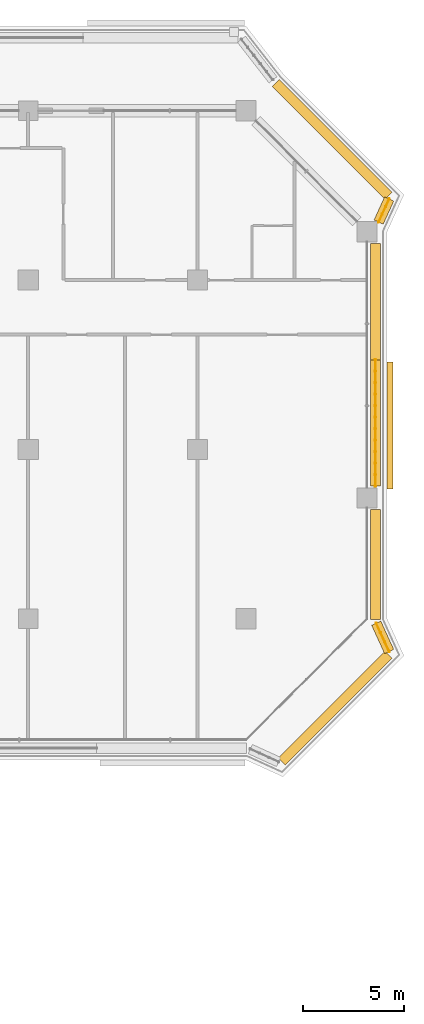
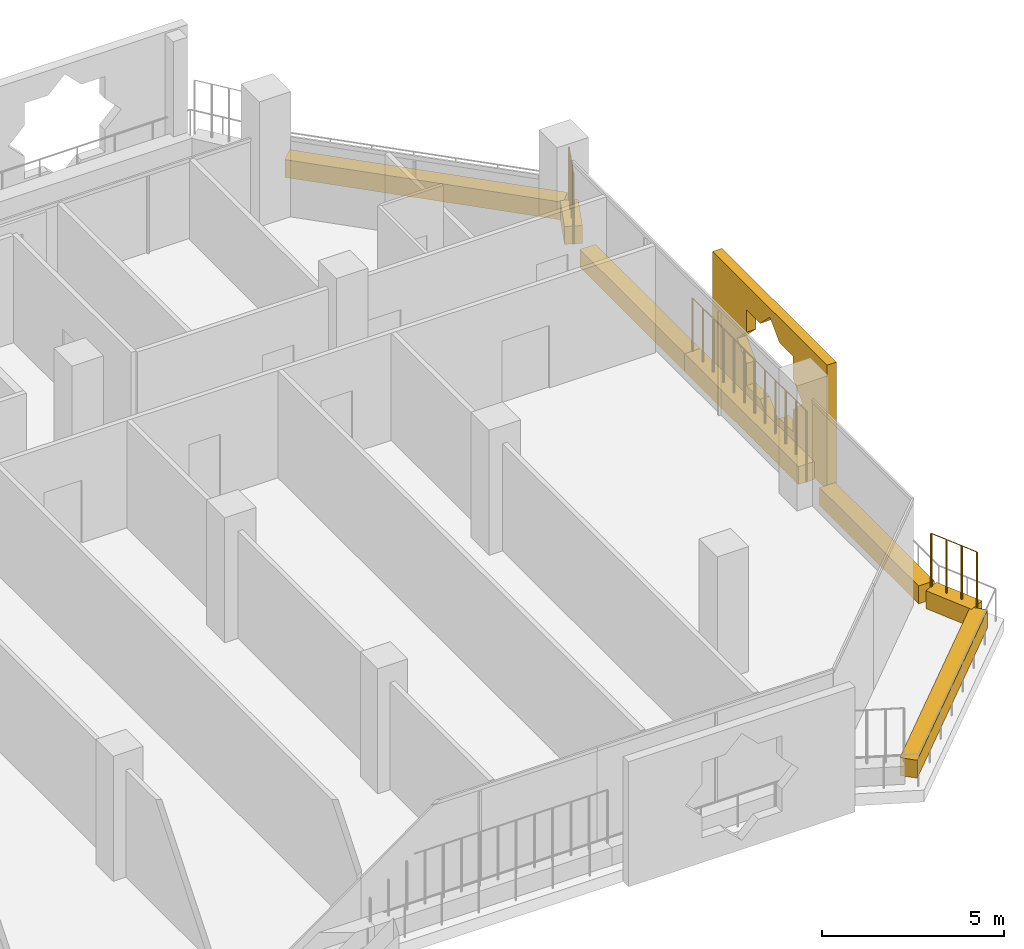
# One storey, part 22 of 22: 8 coverings, 3 railings.
"""IFC4 building model written with IfcOpenShell, lengths in metres."""

from ifc_helpers import new_model, si_unit, direction, frame, origin, origin_2d, place, context, subcontext, project, spatial, polyline, rectangle, circle, outline, extrude, material, material_profile, profile_set, type_object, element, save


model = new_model("IFC4")

# Units and contexts
model_context = context("Model", 3, precision=1e-05, world=origin(), true_north=direction((0.0, 1.0)))
body_context = subcontext(model_context, "Body", "Model", "MODEL_VIEW")
ifc_project = project(units=[si_unit("LENGTHUNIT", "METRE"), si_unit("AREAUNIT", "SQUARE_METRE"), si_unit("VOLUMEUNIT", "CUBIC_METRE"), si_unit("PLANEANGLEUNIT", "RADIAN"), si_unit("MASSUNIT", "GRAM", prefix="KILO")], contexts=[model_context])

# Site, building, storey
site_placement = place(None, origin())
site = spatial("IfcSite", under=ifc_project, at=site_placement, CompositionType="ELEMENT")
building_placement = place(site_placement, origin())
building = spatial("IfcBuilding", under=site, at=building_placement, Name="Kawkab Arch Medical Tower", CompositionType="ELEMENT")
storey_placement = place(building_placement, frame((0.0, 0.0, 179.39990234375)))
storey = spatial("IfcBuildingStorey", under=building, at=storey_placement, Name="L41", CompositionType="ELEMENT", Elevation=179.39990234375)

# Coverings
ifc_material_1 = material(Name="Bronze anodised aluminium mashrabiya panel, eight-point star pattern", Category="aluminium")
ifc_material_profile_1 = material_profile(ifc_material_1, outline(polyline([(-3.14990234375, -2.10009765625), (3.14990234375, -2.10009765625), (3.14990234375, 2.10009765625), (-3.14990234375, 2.10009765625), (-3.14990234375, -2.10009765625)]), holes=[polyline([(1.800048828125, 0.0), (1.272705078125, 0.527099609375), (1.272705078125, 1.272705078125), (0.527099609375, 1.272705078125), (0.0, 1.800048828125), (-0.527099609375, 1.272705078125), (-1.272705078125, 1.272705078125), (-1.272705078125, 0.527099609375), (-1.800048828125, 0.0), (-1.272705078125, -0.527099609375), (-1.272705078125, -1.272705078125), (-0.527099609375, -1.272705078125), (0.0, -1.800048828125), (0.527099609375, -1.272705078125), (1.272705078125, -1.272705078125), (1.272705078125, -0.527099609375), (1.800048828125, 0.0)])]), Name="Mashrabiya panel 6300x4200")
ifc_profile_set_1 = profile_set([ifc_material_profile_1], Name="Bronze anodised aluminium mashrabiya panel, eight-point star pattern")
covering_type_1 = type_object("IfcCoveringType", Name="Mashrabiya panel 6300 x 4200", PredefinedType="USERDEFINED", material=ifc_profile_set_1)
covering_1_placement = place(storey_placement, frame((68.199951171875, -15.60009765625, 1.7001953125), z_axis=(1.0, 0.0, 0.0), x_axis=(0.0, 1.0, 0.0)))
element("IfcCovering", 1, at=covering_1_placement, inside=storey, type_object=covering_type_1, Name="Mashrabiya panel L41.LOG-01-01.9", ObjectType="SCREEN", PredefinedType="USERDEFINED", context=body_context, shape_type="SweptSolid", body=[
    extrude(outline(polyline([(-3.14990234375, -2.10009765625), (3.14990234375, -2.10009765625), (3.14990234375, 2.10009765625), (-3.14990234375, 2.10009765625), (-3.14990234375, -2.10009765625)]), holes=[polyline([(1.800048828125, 0.0), (1.272705078125, 0.527099609375), (1.272705078125, 1.272705078125), (0.527099609375, 1.272705078125), (0.0, 1.800048828125), (-0.527099609375, 1.272705078125), (-1.272705078125, 1.272705078125), (-1.272705078125, 0.527099609375), (-1.800048828125, 0.0), (-1.272705078125, -0.527099609375), (-1.272705078125, -1.272705078125), (-0.527099609375, -1.272705078125), (0.0, -1.800048828125), (0.527099609375, -1.272705078125), (1.272705078125, -1.272705078125), (1.272705078125, -0.527099609375), (1.800048828125, 0.0)])]), origin(), (0.0, 0.0, 1.0), 0.300048828125),
])
ifc_material_2 = material(Name="Planting soil in a precast trough", Category="concrete")
ifc_material_profile_2 = material_profile(ifc_material_2, rectangle(XDim=0.5, YDim=0.60009765625, at=origin_2d()), Name="Trough 500x600")
ifc_profile_set_2 = profile_set([ifc_material_profile_2], Name="Planting soil in a precast trough")
covering_type_2 = type_object("IfcCoveringType", Name="Planter trough 500 x 600", PredefinedType="USERDEFINED", material=ifc_profile_set_2)
covering_2_placement = place(storey_placement, frame((62.673095703125, 1.383056640625, 0.300048828125), z_axis=(0.707091367247, -0.70712219479, 0.0), x_axis=(0.70712219479, 0.707091367247, 0.0)))
element("IfcCovering", 2, at=covering_2_placement, inside=storey, type_object=covering_type_2, Name="Planter L41.LOG-01-01.26", ObjectType="PLANTER", PredefinedType="USERDEFINED", context=body_context, shape_type="SweptSolid", body=[
    extrude(rectangle(XDim=0.5, YDim=0.60009765625, at=origin_2d()), origin(), (0.0, 0.0, 1.0), 7.919677734375),
])
covering_3_placement = place(storey_placement, frame((68.302001953125, -4.37890625, 0.300048828125), z_axis=(-0.415089762627, -0.909780461959, 0.0), x_axis=(0.909780461959, -0.415089762627, 0.0)))
element("IfcCovering", 3, at=covering_3_placement, inside=storey, type_object=covering_type_2, Name="Planter L41.LOG-01-01.27", ObjectType="PLANTER", PredefinedType="USERDEFINED", context=body_context, shape_type="SweptSolid", body=[
    extrude(rectangle(XDim=0.5, YDim=0.60009765625, at=origin_2d()), origin(), (0.0, 0.0, 1.0), 1.257568359375),
])
covering_4_placement = place(storey_placement, frame((67.6201171875, -6.580078125, 0.300048828125), z_axis=(0.0, -1.0, 0.0), x_axis=(1.0, 0.0, 0.0)))
element("IfcCovering", 4, at=covering_4_placement, inside=storey, type_object=covering_type_2, Name="Planter L41.LOG-01-01.28", ObjectType="PLANTER", PredefinedType="USERDEFINED", context=body_context, shape_type="SweptSolid", body=[
    extrude(rectangle(XDim=0.5, YDim=0.60009765625, at=origin_2d()), origin(), (0.0, 0.0, 1.0), 5.77783203125),
])
covering_5_placement = place(storey_placement, frame((67.6201171875, -12.35791015625, 0.300048828125), z_axis=(0.0, -1.0, 0.0), x_axis=(1.0, 0.0, 0.0)))
element("IfcCovering", 5, at=covering_5_placement, inside=storey, type_object=covering_type_2, Name="Planter L41.LOG-01-01.29", ObjectType="PLANTER", PredefinedType="USERDEFINED", context=body_context, shape_type="SweptSolid", body=[
    extrude(rectangle(XDim=0.5, YDim=0.60009765625, at=origin_2d()), origin(), (0.0, 0.0, 1.0), 6.26220703125),
])
covering_6_placement = place(storey_placement, frame((67.6201171875, -19.780029296875, 0.300048828125), z_axis=(0.0, -1.0, 0.0), x_axis=(1.0, 0.0, 0.0)))
element("IfcCovering", 6, at=covering_6_placement, inside=storey, type_object=covering_type_2, Name="Planter L41.LOG-01-01.30", ObjectType="PLANTER", PredefinedType="USERDEFINED", context=body_context, shape_type="SweptSolid", body=[
    extrude(rectangle(XDim=0.5, YDim=0.60009765625, at=origin_2d()), origin(), (0.0, 0.0, 1.0), 5.446044921875),
])
covering_7_placement = place(storey_placement, frame((67.660888671875, -25.4169921875, 0.300048828125), z_axis=(0.415363486165, -0.909655525109, 0.0), x_axis=(0.909655525109, 0.415363486165, 0.0)))
element("IfcCovering", 7, at=covering_7_placement, inside=storey, type_object=covering_type_2, Name="Planter L41.LOG-01-01.31", ObjectType="PLANTER", PredefinedType="USERDEFINED", context=body_context, shape_type="SweptSolid", body=[
    extrude(rectangle(XDim=0.5, YDim=0.60009765625, at=origin_2d()), origin(), (0.0, 0.0, 1.0), 1.54345703125),
])
covering_8_placement = place(storey_placement, frame((68.27294921875, -26.98291015625, 0.300048828125), z_axis=(-0.707106781187, -0.707106781187, 0.0), x_axis=(0.707106781187, -0.707106781187, 0.0)))
element("IfcCovering", 8, at=covering_8_placement, inside=storey, type_object=covering_type_2, Name="Planter L41.LOG-01-01.32", ObjectType="PLANTER", PredefinedType="USERDEFINED", context=body_context, shape_type="SweptSolid", body=[
    extrude(rectangle(XDim=0.5, YDim=0.60009765625, at=origin_2d()), origin(), (0.0, 0.0, 1.0), 7.481201171875),
])

# Railings
ifc_material_3 = material(Name="Bronze anodised aluminium trellis for climbing plants", Category="aluminium")
railing_type = type_object("IfcRailingType", Name="Planting trellis 2400", PredefinedType="USERDEFINED", material=ifc_material_3)
railing_1_placement = place(storey_placement, frame((68.302001953125, -4.37890625, 0.0)))
element("IfcRailing", 9, at=railing_1_placement, inside=storey, type_object=railing_type, Name="Planting trellis L41.LOG-01-01.27", ObjectType="TRELLIS", PredefinedType="USERDEFINED", context=body_context, shape_type="SweptSolid", body=[
    extrude(circle(Radius=0.01513671875, at=origin_2d()), frame((0.0, 0.0, 2.384765625), z_axis=(-0.415089762627, -0.909780461959, 0.0), x_axis=(0.909780461959, -0.415089762627, 0.0)), (0.0, 0.0, 1.0), 1.257568359375),
    extrude(circle(Radius=0.030029296875, at=origin_2d()), origin(), (0.0, 0.0, 1.0), 2.369873046875),
    extrude(circle(Radius=0.030029296875, at=origin_2d()), frame((-0.174072265625, -0.38134765625, 0.0)), (0.0, 0.0, 1.0), 2.369873046875),
    extrude(circle(Radius=0.030029296875, at=origin_2d()), frame((-0.347900390625, -0.7626953125, 0.0)), (0.0, 0.0, 1.0), 2.369873046875),
    extrude(circle(Radius=0.030029296875, at=origin_2d()), frame((-0.52197265625, -1.14404296875, 0.0)), (0.0, 0.0, 1.0), 2.369873046875),
])
railing_2_placement = place(storey_placement, frame((67.6201171875, -12.35791015625, 0.0)))
element("IfcRailing", 10, at=railing_2_placement, inside=storey, type_object=railing_type, Name="Planting trellis L41.LOG-01-01.29", ObjectType="TRELLIS", PredefinedType="USERDEFINED", context=body_context, shape_type="SweptSolid", body=[
    extrude(circle(Radius=0.01513671875, at=origin_2d()), frame((0.0, 0.0, 2.384765625), z_axis=(0.0, -1.0, 0.0), x_axis=(1.0, 0.0, 0.0)), (0.0, 0.0, 1.0), 6.26220703125),
    extrude(circle(Radius=0.030029296875, at=origin_2d()), origin(), (0.0, 0.0, 1.0), 2.369873046875),
    extrude(circle(Radius=0.030029296875, at=origin_2d()), frame((0.0, -0.5693359375, 0.0)), (0.0, 0.0, 1.0), 2.369873046875),
    extrude(circle(Radius=0.030029296875, at=origin_2d()), frame((0.0, -1.138671875, 0.0)), (0.0, 0.0, 1.0), 2.369873046875),
    extrude(circle(Radius=0.030029296875, at=origin_2d()), frame((0.0, -1.707763671875, 0.0)), (0.0, 0.0, 1.0), 2.369873046875),
    extrude(circle(Radius=0.030029296875, at=origin_2d()), frame((0.0, -2.277099609375, 0.0)), (0.0, 0.0, 1.0), 2.369873046875),
    extrude(circle(Radius=0.030029296875, at=origin_2d()), frame((0.0, -2.846435546875, 0.0)), (0.0, 0.0, 1.0), 2.369873046875),
    extrude(circle(Radius=0.030029296875, at=origin_2d()), frame((0.0, -3.415771484375, 0.0)), (0.0, 0.0, 1.0), 2.369873046875),
    extrude(circle(Radius=0.030029296875, at=origin_2d()), frame((0.0, -3.985107421875, 0.0)), (0.0, 0.0, 1.0), 2.369873046875),
    extrude(circle(Radius=0.030029296875, at=origin_2d()), frame((0.0, -4.554443359375, 0.0)), (0.0, 0.0, 1.0), 2.369873046875),
    extrude(circle(Radius=0.030029296875, at=origin_2d()), frame((0.0, -5.12353515625, 0.0)), (0.0, 0.0, 1.0), 2.369873046875),
    extrude(circle(Radius=0.030029296875, at=origin_2d()), frame((0.0, -5.69287109375, 0.0)), (0.0, 0.0, 1.0), 2.369873046875),
    extrude(circle(Radius=0.030029296875, at=origin_2d()), frame((0.0, -6.26220703125, 0.0)), (0.0, 0.0, 1.0), 2.369873046875),
])
railing_3_placement = place(storey_placement, frame((67.660888671875, -25.4169921875, 0.0)))
element("IfcRailing", 11, at=railing_3_placement, inside=storey, type_object=railing_type, Name="Planting trellis L41.LOG-01-01.31", ObjectType="TRELLIS", PredefinedType="USERDEFINED", context=body_context, shape_type="SweptSolid", body=[
    extrude(circle(Radius=0.01513671875, at=origin_2d()), frame((0.0, 0.0, 2.384765625), z_axis=(0.415363486165, -0.909655525109, 0.0), x_axis=(0.909655525109, 0.415363486165, 0.0)), (0.0, 0.0, 1.0), 1.54345703125),
    extrude(circle(Radius=0.030029296875, at=origin_2d()), origin(), (0.0, 0.0, 1.0), 2.369873046875),
    extrude(circle(Radius=0.030029296875, at=origin_2d()), frame((0.213623046875, -0.468017578125, 0.0)), (0.0, 0.0, 1.0), 2.369873046875),
    extrude(circle(Radius=0.030029296875, at=origin_2d()), frame((0.427490234375, -0.93603515625, 0.0)), (0.0, 0.0, 1.0), 2.369873046875),
    extrude(circle(Radius=0.030029296875, at=origin_2d()), frame((0.64111328125, -1.404052734375, 0.0)), (0.0, 0.0, 1.0), 2.369873046875),
])

save(model, "model.ifc")
